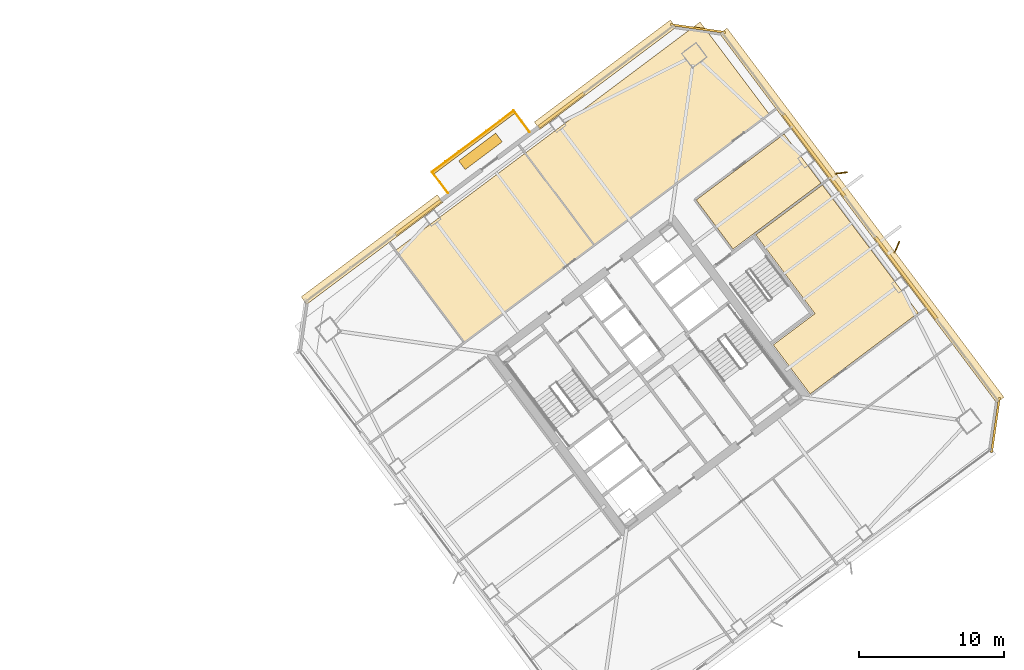
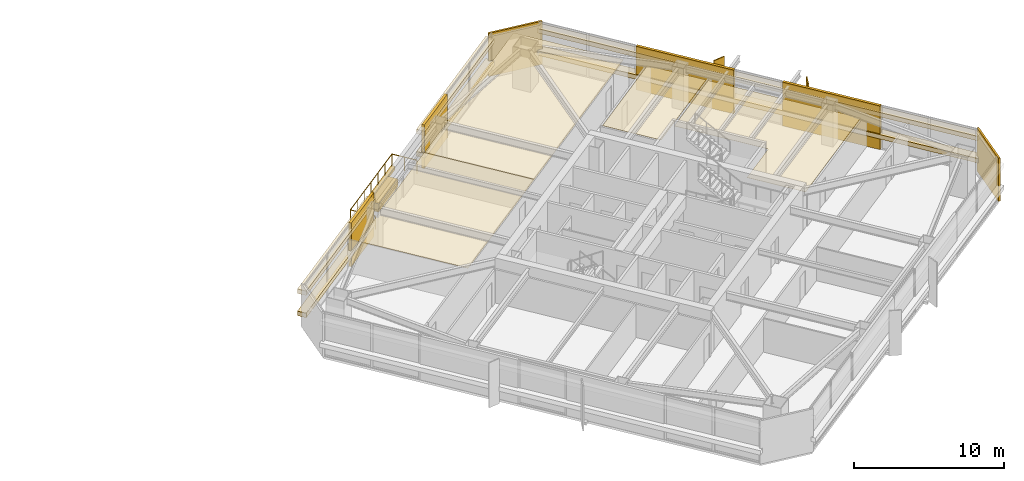
# One storey, part 48 of 48: 18 coverings, 3 railings, 2 shading devices.
"""IFC4 building model written with IfcOpenShell, lengths in metres."""

from ifc_helpers import new_model, si_unit, direction, frame, origin, origin_2d, place, context, subcontext, project, spatial, polyline, rectangle, outline, extrude, material, layer, layer_set, type_object, element, save


model = new_model("IFC4")

# Units and contexts
model_context = context("Model", 3, precision=1e-05, world=origin(), true_north=direction((0.0, 1.0)))
body_context = subcontext(model_context, "Body", "Model", "MODEL_VIEW")
ifc_project = project(units=[si_unit("LENGTHUNIT", "METRE"), si_unit("AREAUNIT", "SQUARE_METRE"), si_unit("VOLUMEUNIT", "CUBIC_METRE"), si_unit("PLANEANGLEUNIT", "RADIAN"), si_unit("MASSUNIT", "GRAM", prefix="KILO")], contexts=[model_context])

# Site, building, storey
site_placement = place(None, origin())
site = spatial("IfcSite", under=ifc_project, at=site_placement, CompositionType="ELEMENT")
building_placement = place(site_placement, origin())
building = spatial("IfcBuilding", under=site, at=building_placement, Name="Tashvorn Skyway Center", CompositionType="ELEMENT")
storey_placement = place(building_placement, frame((0.0, 0.0, 125.050048828125)))
storey = spatial("IfcBuildingStorey", under=building, at=storey_placement, Name="L33", CompositionType="ELEMENT", Elevation=125.050048828125)

# Coverings
ifc_material_1 = material(Name="Precast concrete C40/50", Category="concrete")
ifc_layer_1 = layer(ifc_material_1, 0.199951171875)
ifc_layer_set_1 = layer_set([ifc_layer_1], Name="Precast concrete C40/50")
covering_type_1 = type_object("IfcCoveringType", Name="COV-BRACE-CLAD", PredefinedType="CLADDING", material=ifc_layer_set_1)
for number, where, z_axis, x_axis, name in (
    (1, (98.081298828125, 42.910888671875, 0.0), (0.0, 0.0, 1.0), (0.799999996291, 0.600000004945, 0.0), "Tower 2 L33 North Curtain Wall L Mega-Brace Cladding Band 1"),
    (2, (107.982666015625, 50.3369140625, 0.0), (0.0, 0.0, 1.0), (0.799999996291, 0.600000004945, 0.0), "Tower 2 L33 North Curtain Wall R Mega-Brace Cladding Band 1"),
):
    element("IfcCovering", number, at=place(storey_placement, frame(where, z_axis=z_axis, x_axis=x_axis)), inside=storey, type_object=covering_type_1, Name=name, PredefinedType="CLADDING", context=body_context, shape_type="SweptSolid", body=[
        extrude(rectangle(XDim=3.876708984375, YDim=0.199951171875, at=origin_2d()), origin(), (0.0, 0.0, 1.0), 3.550048828125),
    ])
for number, where, z_axis, x_axis, name in (
    (3, (125.447998046875, 47.20263671875, 0.0), (0.0, 0.0, 1.0), (0.600000004945, -0.799999996291, 0.0), "Tower 2 L33 East Unitised Curtain Wall Mega-Brace Cladding Band 1"),
    (4, (131.800048828125, 38.7333984375, 0.0), (0.0, 0.0, 1.0), (0.600000004945, -0.799999996291, 0.0), "Tower 2 L33 East Unitised Curtain Wall Mega-Brace Cladding Band 2"),
):
    element("IfcCovering", number, at=place(storey_placement, frame(where, z_axis=z_axis, x_axis=x_axis)), inside=storey, type_object=covering_type_1, Name=name, PredefinedType="CLADDING", context=body_context, shape_type="SweptSolid", body=[
        extrude(rectangle(XDim=7.0576171875, YDim=0.199951171875, at=origin_2d()), origin(), (0.0, 0.0, 1.0), 3.550048828125),
    ])
ifc_material_2 = material(Name="Mineral-fibre acoustic ceiling tile on suspended grid")
ifc_layer_2 = layer(ifc_material_2, 0.02001953125)
ifc_layer_set_2 = layer_set([ifc_layer_2], Name="Mineral-fibre acoustic ceiling tile on suspended grid")
covering_type_2 = type_object("IfcCoveringType", Name="COV-CEIL-20", PredefinedType="CEILING", material=ifc_layer_set_2)
covering_1_placement = place(storey_placement, frame((0.0, 0.0, 2.702880859375)))
element("IfcCovering", 5, at=covering_1_placement, inside=storey, type_object=covering_type_2, Name="Tower 2 L33 Executive Suite Acoustic Ceiling", PredefinedType="CEILING", context=body_context, shape_type="SweptSolid", body=[
    extrude(outline(polyline([(101.2900390625, 34.280029296875), (110.25, 41.0), (105.47998046875, 47.360107421875), (96.52001953125, 40.639892578125), (101.2900390625, 34.280029296875)])), origin(), (0.0, 0.0, 1.0), 0.02001953125),
])
covering_2_placement = place(storey_placement, frame((0.0, 0.0, 2.702880859375)))
element("IfcCovering", 6, at=covering_2_placement, inside=storey, type_object=covering_type_2, Name="Tower 2 L33 Corporate Office Acoustic Ceiling", PredefinedType="CEILING", context=body_context, shape_type="SweptSolid", body=[
    extrude(outline(polyline([(110.25, 41.0), (122.330078125, 50.06005859375), (117.56005859375, 56.419921875), (105.47998046875, 47.360107421875), (110.25, 41.0)])), origin(), (0.0, 0.0, 1.0), 0.02001953125),
])
covering_3_placement = place(storey_placement, frame((0.0, 0.0, 2.702880859375)))
element("IfcCovering", 7, at=covering_3_placement, inside=storey, type_object=covering_type_2, Name="Tower 2 L33 Executive Suite Acoustic Ceiling", PredefinedType="CEILING", context=body_context, shape_type="SweptSolid", body=[
    extrude(outline(polyline([(119.840087890625, 40.72998046875), (117.2958984375, 44.1220703125), (123.367919921875, 48.676025390625), (125.912109375, 45.283935546875), (119.840087890625, 40.72998046875)])), origin(), (0.0, 0.0, 1.0), 0.02001953125),
])
covering_4_placement = place(storey_placement, frame((0.0, 0.0, 2.702880859375)))
element("IfcCovering", 8, at=covering_4_placement, inside=storey, type_object=covering_type_2, Name="Tower 2 L33 Public Restroom Acoustic Ceiling", PredefinedType="CEILING", context=body_context, shape_type="SweptSolid", body=[
    extrude(outline(polyline([(125.159912109375, 30.719970703125), (122.615966796875, 34.112060546875), (125.49609375, 36.27197265625), (121.416015625, 41.7119140625), (126.008056640625, 45.156005859375), (130.087890625, 39.716064453125), (132.632080078125, 36.323974609375), (125.159912109375, 30.719970703125)])), origin(), (0.0, 0.0, 1.0), 0.02001953125),
])
ifc_material_3 = material(Name="Perforated ceramic-coated bronze aluminium solar screen", Category="aluminium")
ifc_layer_3 = layer(ifc_material_3, 0.85009765625)
ifc_layer_set_3 = layer_set([ifc_layer_3], Name="Perforated ceramic-coated bronze aluminium solar screen")
covering_type_3 = type_object("IfcCoveringType", Name="COV-SOLAR-BAND", PredefinedType="CLADDING", material=ifc_layer_set_3)
for number, where, z_axis, x_axis, name in (
    (9, (94.89599609375, 40.697021484375, 0.919921875), (0.0, 0.0, 1.0), (0.799999996291, 0.600000004945, 0.0), "L33 Perforated Ceramic-Metal Solar Screen Louvre Band North 1"),
    (10, (94.89599609375, 40.697021484375, 2.7197265625), (0.0, 0.0, 1.0), (0.799999996291, 0.600000004945, 0.0), "L33 Perforated Ceramic-Metal Solar Screen Louvre Band North 2"),
    (11, (111.0, 52.77490234375, 0.919921875), (0.0, 0.0, 1.0), (0.799999996291, 0.600000004945, 0.0), "L33 Perforated Ceramic-Metal Solar Screen Louvre Band North 1"),
    (12, (111.0, 52.77490234375, 2.7197265625), (0.0, 0.0, 1.0), (0.799999996291, 0.600000004945, 0.0), "L33 Perforated Ceramic-Metal Solar Screen Louvre Band North 2"),
):
    element("IfcCovering", number, at=place(storey_placement, frame(where, z_axis=z_axis, x_axis=x_axis)), inside=storey, type_object=covering_type_3, Name=name, PredefinedType="CLADDING", context=body_context, shape_type="SweptSolid", body=[
        extrude(rectangle(XDim=11.75, YDim=0.639892578125, at=origin_2d()), origin(), (0.0, 0.0, 1.0), 0.360107421875),
    ])
for number, where, z_axis, x_axis, name in (
    (13, (128.736083984375, 43.052001953125, 0.919921875), (0.0, 0.0, 1.0), (0.600000004945, -0.799999996291, 0.0), "L33 Perforated Ceramic-Metal Solar Screen Louvre Band East 1"),
    (14, (128.736083984375, 43.052001953125, 2.7197265625), (0.0, 0.0, 1.0), (0.600000004945, -0.799999996291, 0.0), "L33 Perforated Ceramic-Metal Solar Screen Louvre Band East 2"),
):
    element("IfcCovering", number, at=place(storey_placement, frame(where, z_axis=z_axis, x_axis=x_axis)), inside=storey, type_object=covering_type_3, Name=name, PredefinedType="CLADDING", context=body_context, shape_type="SweptSolid", body=[
        extrude(rectangle(XDim=31.8798828125, YDim=0.639892578125, at=origin_2d()), origin(), (0.0, 0.0, 1.0), 0.360107421875),
    ])
ifc_layer_4 = layer(ifc_material_1, 0.35009765625)
ifc_layer_set_4 = layer_set([ifc_layer_4], Name="Precast concrete C40/50")
covering_type_4 = type_object("IfcCoveringType", Name="COV-STONE-TRIM", PredefinedType="CLADDING", material=ifc_layer_set_4)
covering_5_placement = place(storey_placement, frame((101.904052734375, 48.1279296875, -0.16015625), z_axis=(0.0, 0.0, 1.0), x_axis=(0.799999996291, 0.600000004945, 0.0)))
element("IfcCovering", 15, at=covering_5_placement, inside=storey, type_object=covering_type_4, Name="Tower 2 L33 Spiral Terrace Terracotta Fascia", PredefinedType="CLADDING", context=body_context, shape_type="SweptSolid", body=[
    extrude(rectangle(XDim=7.199951171875, YDim=0.280029296875, at=origin_2d()), origin(), (0.0, 0.0, 1.0), 0.280029296875),
])
covering_6_placement = place(storey_placement, frame((102.389892578125, 47.47998046875, 0.0), z_axis=(0.0, 0.0, 1.0), x_axis=(0.799999996291, 0.600000004945, 0.0)))
element("IfcCovering", 16, at=covering_6_placement, inside=storey, type_object=covering_type_4, Name="Tower 2 L33 Spiral Terrace Planter", PredefinedType="CLADDING", context=body_context, shape_type="SweptSolid", body=[
    extrude(rectangle(XDim=3.199951171875, YDim=0.75, at=origin_2d()), origin(), (0.0, 0.0, 1.0), 0.679931640625),
])
for number, where, z_axis, x_axis, name in (
    (17, (117.424072265625, 55.968017578125, 0.02001953125), (0.0, 0.0, 1.0), (0.989949494535, -0.141421350118, 0.0), "Tower 2 L33 NE Mojave Limestone Corner Quoin"),
    (18, (137.968017578125, 28.575927734375, 0.02001953125), (0.0, 0.0, 1.0), (0.141421350118, 0.989949494535, 0.0), "Tower 2 L33 SE Mojave Limestone Corner Quoin"),
):
    element("IfcCovering", number, at=place(storey_placement, frame(where, z_axis=z_axis, x_axis=x_axis)), inside=storey, type_object=covering_type_4, Name=name, PredefinedType="CLADDING", context=body_context, shape_type="SweptSolid", body=[
        extrude(rectangle(XDim=3.8369140625, YDim=0.139892578125, at=origin_2d()), origin(), (0.0, 0.0, 1.0), 3.510009765625),
    ])

# Railings
ifc_material_4 = material(Name="Galvanized steel S355", Category="steel")
railing_type = type_object("IfcRailingType", Name="RAIL-GUARD-1120", PredefinedType="GUARDRAIL", material=ifc_material_4)
railing_1_placement = place(storey_placement, frame((100.14404296875, 44.60791015625, 0.0)))
element("IfcRailing", 19, at=railing_1_placement, inside=storey, type_object=railing_type, Name="L33 Tower 2 Terrace Guardrail 01", PredefinedType="GUARDRAIL", context=body_context, shape_type="SweptSolid", body=[
    extrude(rectangle(XDim=0.048095703125, YDim=0.048095703125, at=origin_2d()), frame((0.0, 0.0, 1.09619140625), z_axis=(-0.6, 0.8, 0.0), x_axis=(-0.8, -0.6, 0.0)), (0.0, 0.0, 1.0), 1.820068359375),
    extrude(rectangle(XDim=0.0419921875, YDim=0.0419921875, at=origin_2d()), origin(), (0.0, 0.0, 1.0), 1.072021484375),
    extrude(rectangle(XDim=0.0419921875, YDim=0.0419921875, at=origin_2d()), frame((-0.5458984375, 0.72802734375, 0.0)), (0.0, 0.0, 1.0), 1.072021484375),
    extrude(rectangle(XDim=0.0419921875, YDim=0.0419921875, at=origin_2d()), frame((-1.092041015625, 1.4560546875, 0.0)), (0.0, 0.0, 1.0), 1.072021484375),
])
railing_2_placement = place(storey_placement, frame((99.052001953125, 46.06396484375, 0.0)))
element("IfcRailing", 20, at=railing_2_placement, inside=storey, type_object=railing_type, Name="L33 Tower 2 Terrace Guardrail 02", PredefinedType="GUARDRAIL", context=body_context, shape_type="SweptSolid", body=[
    extrude(rectangle(XDim=0.048095703125, YDim=0.048095703125, at=origin_2d()), frame((0.0, 0.0, 1.09619140625), z_axis=(0.799995838574, 0.600005548528, 0.0), x_axis=(-0.600005548528, 0.799995838574, 0.0)), (0.0, 0.0, 1.0), 7.0400390625),
    extrude(rectangle(XDim=0.0419921875, YDim=0.0419921875, at=origin_2d()), origin(), (0.0, 0.0, 1.0), 1.072021484375),
    extrude(rectangle(XDim=0.0419921875, YDim=0.0419921875, at=origin_2d()), frame((0.938720703125, 0.7041015625, 0.0)), (0.0, 0.0, 1.0), 1.072021484375),
    extrude(rectangle(XDim=0.0419921875, YDim=0.0419921875, at=origin_2d()), frame((1.87744140625, 1.407958984375, 0.0)), (0.0, 0.0, 1.0), 1.072021484375),
    extrude(rectangle(XDim=0.0419921875, YDim=0.0419921875, at=origin_2d()), frame((2.81591796875, 2.112060546875, 0.0)), (0.0, 0.0, 1.0), 1.072021484375),
    extrude(rectangle(XDim=0.0419921875, YDim=0.0419921875, at=origin_2d()), frame((3.754638671875, 2.816162109375, 0.0)), (0.0, 0.0, 1.0), 1.072021484375),
    extrude(rectangle(XDim=0.0419921875, YDim=0.0419921875, at=origin_2d()), frame((4.693359375, 3.52001953125, 0.0)), (0.0, 0.0, 1.0), 1.072021484375),
    extrude(rectangle(XDim=0.0419921875, YDim=0.0419921875, at=origin_2d()), frame((5.632080078125, 4.22412109375, 0.0)), (0.0, 0.0, 1.0), 1.072021484375),
])
railing_3_placement = place(storey_placement, frame((104.68408203125, 50.2880859375, 0.0)))
element("IfcRailing", 21, at=railing_3_placement, inside=storey, type_object=railing_type, Name="L33 Tower 2 Terrace Guardrail 03", PredefinedType="GUARDRAIL", context=body_context, shape_type="SweptSolid", body=[
    extrude(rectangle(XDim=0.048095703125, YDim=0.048095703125, at=origin_2d()), frame((0.0, 0.0, 1.09619140625), z_axis=(0.599914141212, -0.800064386893, 0.0), x_axis=(0.800064386893, 0.599914141212, 0.0)), (0.0, 0.0, 1.0), 1.81982421875),
    extrude(rectangle(XDim=0.0419921875, YDim=0.0419921875, at=origin_2d()), origin(), (0.0, 0.0, 1.0), 1.072021484375),
    extrude(rectangle(XDim=0.0419921875, YDim=0.0419921875, at=origin_2d()), frame((0.5458984375, -0.72802734375, 0.0)), (0.0, 0.0, 1.0), 1.072021484375),
    extrude(rectangle(XDim=0.0419921875, YDim=0.0419921875, at=origin_2d()), frame((1.091796875, -1.4560546875, 0.0)), (0.0, 0.0, 1.0), 1.072021484375),
])

# Shading devices
ifc_layer_5 = layer(ifc_material_3, 0.06005859375)
ifc_layer_set_5 = layer_set([ifc_layer_5], Name="Perforated ceramic-coated bronze aluminium solar screen")
shading_device_type = type_object("IfcShadingDeviceType", Name="SHD-SOLAR-850", PredefinedType="USERDEFINED", material=ifc_layer_set_5)
for number, where, z_axis, x_axis, name in (
    (22, (131.159912109375, 40.8701171875, -0.10009765625), (0.0, 0.0, 1.0), (0.919615244699, -0.392820317343, 0.0), "Tower 2 L33 Perforated Ceramic-Metal Solar Screen E1"),
    (23, (127.320068359375, 45.989990234375, -0.10009765625), (0.0, 0.0, 1.0), (0.119615248407, -0.992820322288, 0.0), "Tower 2 L33 Perforated Ceramic-Metal Solar Screen E2"),
):
    element("IfcShadingDevice", number, at=place(storey_placement, frame(where, z_axis=z_axis, x_axis=x_axis)), inside=storey, type_object=shading_device_type, Name=name, ObjectType="SCREEN", PredefinedType="USERDEFINED", context=body_context, shape_type="SweptSolid", body=[
        extrude(rectangle(XDim=0.080078125, YDim=0.85009765625, at=origin_2d()), origin(), (0.0, 0.0, 1.0), 3.64990234375),
    ])

save(model, "model.ifc")
